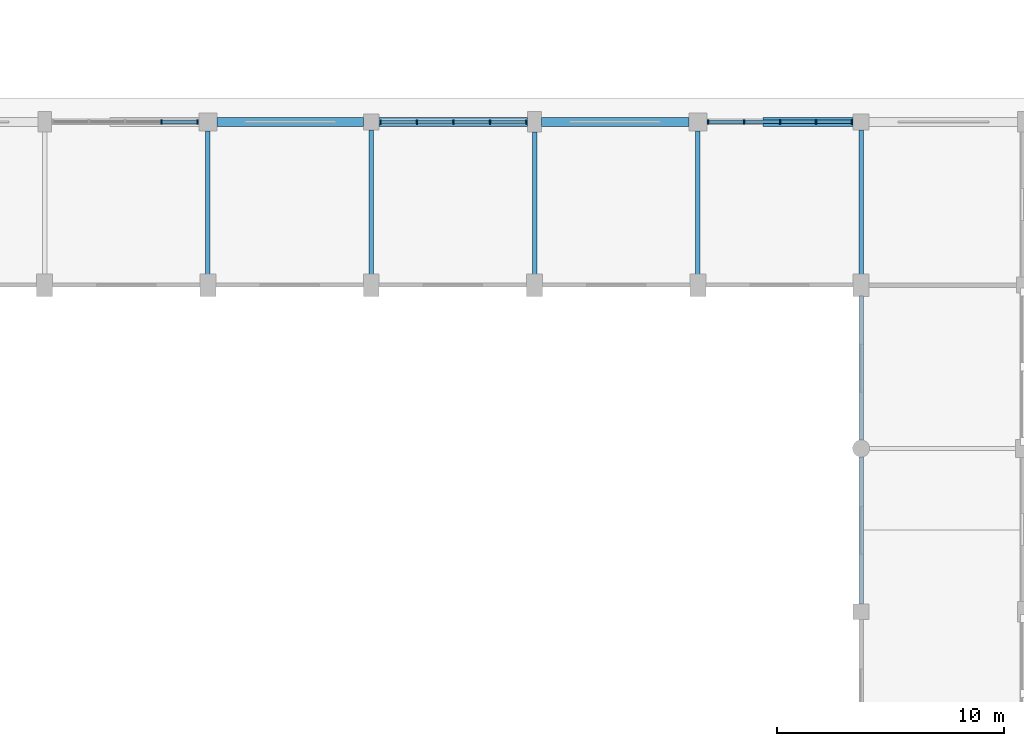
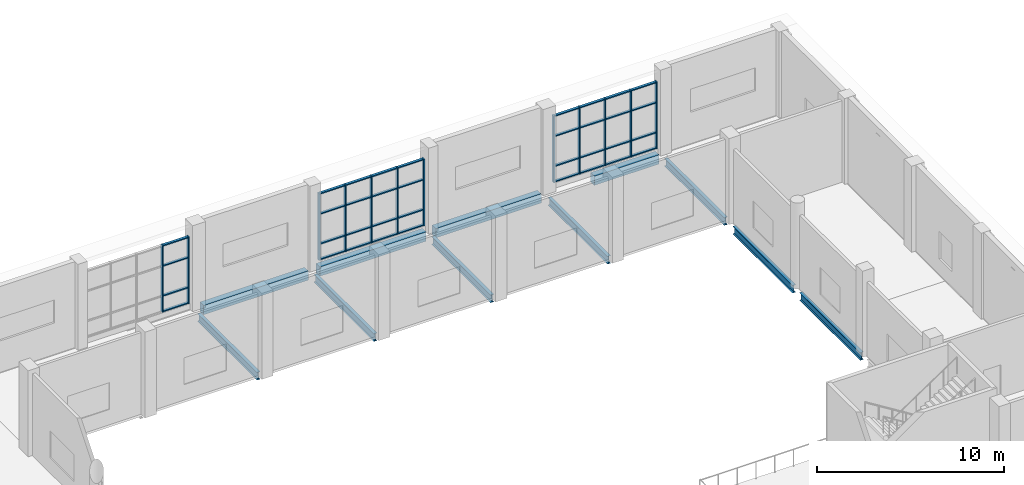
# One storey, part 33 of 80: 48 members, 11 beams, 3 elements without a shape of their own.
"""IFC4 building model written with IfcOpenShell, lengths in metres."""

from ifc_helpers import new_model, si_unit, direction, frame, origin, origin_2d, place, context, subcontext, project, spatial, rectangle, i_section, extrude, material, material_profile, profile_set, type_object, element, aggregate, save


model = new_model("IFC4")

# Units and contexts
model_context = context("Model", 3, precision=1e-05, world=origin(), true_north=direction((0.0, 1.0)))
body_context = subcontext(model_context, "Body", "Model", "MODEL_VIEW")
ifc_project = project(units=[si_unit("LENGTHUNIT", "METRE"), si_unit("AREAUNIT", "SQUARE_METRE"), si_unit("VOLUMEUNIT", "CUBIC_METRE"), si_unit("PLANEANGLEUNIT", "RADIAN"), si_unit("MASSUNIT", "GRAM", prefix="KILO")], contexts=[model_context])

# Site, building, storey
site_placement = place(None, origin())
site = spatial("IfcSite", under=ifc_project, at=site_placement, CompositionType="ELEMENT")
building_placement = place(site_placement, origin())
building = spatial("IfcBuilding", under=site, at=building_placement, Name="Sardonyx Promenade Sports Hall", CompositionType="ELEMENT")
storey_placement = place(building_placement, frame((0.0, 0.0, 5.60009765625)))
storey = spatial("IfcBuildingStorey", under=building, at=storey_placement, Name="L01", CompositionType="ELEMENT", Elevation=5.60009765625)

# Beams
ifc_material_1 = material(Name="Steel S355JR", Category="steel")
ifc_material_profile_1 = material_profile(ifc_material_1, i_section(OverallWidth=0.199951171875, OverallDepth=0.5, WebThickness=0.01025390625, FlangeThickness=0.01611328125, at=origin_2d()))
ifc_profile_set_1 = profile_set([ifc_material_profile_1], Name="Steel S355JR")
beam_type_1 = type_object("IfcBeamType", Name="Bm_Primary_IPE500", PredefinedType="BEAM", material=ifc_profile_set_1)
beam_1_placement = place(storey_placement, frame((129.60009765625, 79.64990234375, -0.47021484375), z_axis=(0.0, 1.0, 0.0), x_axis=(-1.0, 0.0, 0.0)))
element("IfcBeam", 1, at=beam_1_placement, inside=storey, type_object=beam_type_1, Name="Beam SB06 L01 #412", PredefinedType="BEAM", context=body_context, shape_type="SweptSolid", body=[
    extrude(i_section(OverallWidth=0.199951171875, OverallDepth=0.5, WebThickness=0.01025390625, FlangeThickness=0.01611328125, at=origin_2d()), origin(), (0.0, 0.0, 1.0), 6.35009765625),
])
beam_2_placement = place(storey_placement, frame((136.800048828125, 79.64990234375, -0.47021484375), z_axis=(0.0, 1.0, 0.0), x_axis=(-1.0, 0.0, 0.0)))
element("IfcBeam", 2, at=beam_2_placement, inside=storey, type_object=beam_type_1, Name="Beam SB06 L01 #413", PredefinedType="BEAM", context=body_context, shape_type="SweptSolid", body=[
    extrude(i_section(OverallWidth=0.199951171875, OverallDepth=0.5, WebThickness=0.01025390625, FlangeThickness=0.01611328125, at=origin_2d()), origin(), (0.0, 0.0, 1.0), 6.400146484375),
])
beam_3_placement = place(storey_placement, frame((144.0, 79.64990234375, -0.47021484375), z_axis=(0.0, 1.0, 0.0), x_axis=(-1.0, 0.0, 0.0)))
element("IfcBeam", 3, at=beam_3_placement, inside=storey, type_object=beam_type_1, Name="Beam SB06 L01 #421", PredefinedType="BEAM", context=body_context, shape_type="SweptSolid", body=[
    extrude(i_section(OverallWidth=0.199951171875, OverallDepth=0.5, WebThickness=0.01025390625, FlangeThickness=0.01611328125, at=origin_2d()), origin(), (0.0, 0.0, 1.0), 6.300048828125),
])
beam_4_placement = place(storey_placement, frame((151.199951171875, 79.64990234375, -0.47021484375), z_axis=(0.0, 1.0, 0.0), x_axis=(-1.0, 0.0, 0.0)))
element("IfcBeam", 4, at=beam_4_placement, inside=storey, type_object=beam_type_1, Name="Beam SB06 L01 #422", PredefinedType="BEAM", context=body_context, shape_type="SweptSolid", body=[
    extrude(i_section(OverallWidth=0.199951171875, OverallDepth=0.5, WebThickness=0.01025390625, FlangeThickness=0.01611328125, at=origin_2d()), origin(), (0.0, 0.0, 1.0), 6.35009765625),
])
beam_5_placement = place(storey_placement, frame((158.39990234375, 65.14990234375, -0.47021484375), z_axis=(0.0, 1.0, 0.0), x_axis=(-1.0, 0.0, 0.0)))
element("IfcBeam", 5, at=beam_5_placement, inside=storey, type_object=beam_type_1, Name="Beam SB06 L01 #432", PredefinedType="BEAM", context=body_context, shape_type="SweptSolid", body=[
    extrude(i_section(OverallWidth=0.199951171875, OverallDepth=0.5, WebThickness=0.01025390625, FlangeThickness=0.01611328125, at=origin_2d()), origin(), (0.0, 0.0, 1.0), 6.47509765625),
])
beam_6_placement = place(storey_placement, frame((158.39990234375, 72.375, -0.47021484375), z_axis=(0.0, 1.0, 0.0), x_axis=(-1.0, 0.0, 0.0)))
element("IfcBeam", 6, at=beam_6_placement, inside=storey, type_object=beam_type_1, Name="Beam SB06 L01 #433", PredefinedType="BEAM", context=body_context, shape_type="SweptSolid", body=[
    extrude(i_section(OverallWidth=0.199951171875, OverallDepth=0.5, WebThickness=0.01025390625, FlangeThickness=0.01611328125, at=origin_2d()), origin(), (0.0, 0.0, 1.0), 6.375),
])
beam_7_placement = place(storey_placement, frame((158.39990234375, 79.64990234375, -0.47021484375), z_axis=(0.0, 1.0, 0.0), x_axis=(-1.0, 0.0, 0.0)))
element("IfcBeam", 7, at=beam_7_placement, inside=storey, type_object=beam_type_1, Name="Beam SB06 L01 #434", PredefinedType="BEAM", context=body_context, shape_type="SweptSolid", body=[
    extrude(i_section(OverallWidth=0.199951171875, OverallDepth=0.5, WebThickness=0.01025390625, FlangeThickness=0.01611328125, at=origin_2d()), origin(), (0.0, 0.0, 1.0), 6.400146484375),
])
ifc_material_2 = material(Name="Concrete C40/50", Category="concrete")
ifc_material_profile_2 = material_profile(ifc_material_2, rectangle(XDim=0.39990234375, YDim=0.60009765625, at=origin_2d()))
ifc_profile_set_2 = profile_set([ifc_material_profile_2], Name="Concrete C40/50")
beam_type_2 = type_object("IfcBeamType", Name="Bm_Spandrel_RC600", PredefinedType="SPANDREL", material=ifc_profile_set_2)
beam_8_placement = place(storey_placement, frame((130.0, 86.39990234375, -0.300048828125), z_axis=(1.0, 0.0, 0.0), x_axis=(0.0, 1.0, 0.0)))
element("IfcBeam", 8, at=beam_8_placement, inside=storey, type_object=beam_type_2, Name="Beam SPB1 L01 #283", PredefinedType="SPANDREL", context=body_context, shape_type="SweptSolid", body=[
    extrude(rectangle(XDim=0.39990234375, YDim=0.60009765625, at=origin_2d()), origin(), (0.0, 0.0, 1.0), 6.449951171875),
])
beam_9_placement = place(storey_placement, frame((137.14990234375, 86.39990234375, -0.300048828125), z_axis=(1.0, 0.0, 0.0), x_axis=(0.0, 1.0, 0.0)))
element("IfcBeam", 9, at=beam_9_placement, inside=storey, type_object=beam_type_2, Name="Beam SPB1 L01 #284", PredefinedType="SPANDREL", context=body_context, shape_type="SweptSolid", body=[
    extrude(rectangle(XDim=0.39990234375, YDim=0.60009765625, at=origin_2d()), origin(), (0.0, 0.0, 1.0), 6.550048828125),
])
beam_10_placement = place(storey_placement, frame((144.300048828125, 86.39990234375, -0.300048828125), z_axis=(1.0, 0.0, 0.0), x_axis=(0.0, 1.0, 0.0)))
element("IfcBeam", 10, at=beam_10_placement, inside=storey, type_object=beam_type_2, Name="Beam SPB1 L01 #285", PredefinedType="SPANDREL", context=body_context, shape_type="SweptSolid", body=[
    extrude(rectangle(XDim=0.39990234375, YDim=0.60009765625, at=origin_2d()), origin(), (0.0, 0.0, 1.0), 6.5),
])
beam_11_placement = place(storey_placement, frame((154.074951171875, 86.39990234375, -0.300048828125), z_axis=(1.0, 0.0, 0.0), x_axis=(0.0, 1.0, 0.0)))
element("IfcBeam", 11, at=beam_11_placement, inside=storey, type_object=beam_type_2, Name="Beam SPB1 L01 #286", PredefinedType="SPANDREL", context=body_context, shape_type="SweptSolid", body=[
    extrude(rectangle(XDim=0.39990234375, YDim=0.60009765625, at=origin_2d()), origin(), (0.0, 0.0, 1.0), 3.97509765625),
])

# Curtain wall, members
ifc_material_3 = material(Name="Aluminium 6063-T6", Category="aluminium")
curtain_wall_type = type_object("IfcCurtainWallType", Name="CW_Prac_North_L01", PredefinedType="USERDEFINED", material=ifc_material_3)
curtain_wall_1_placement = place(storey_placement, origin())
curtain_wall_1 = element("IfcCurtainWall", 12, at=curtain_wall_1_placement, inside=storey, type_object=curtain_wall_type, Name="Curtain wall CW04 cw:L01:104", ObjectType="CURTAIN WALL", PredefinedType="USERDEFINED")
ifc_material_4 = material(Name="Aluminium 6063-T6", Category="aluminium")
ifc_material_profile_3 = material_profile(ifc_material_4, rectangle(XDim=0.070068359375, YDim=0.199951171875, at=origin_2d()))
ifc_profile_set_3 = profile_set([ifc_material_profile_3], Name="Aluminium 6063-T6")
member_type_1 = type_object("IfcMemberType", Name="CW_Mull_200", PredefinedType="MULLION", material=ifc_profile_set_3)
member_1_placement = place(storey_placement, frame((127.547607421875, 86.39990234375, 0.349853515625), z_axis=(0.0, 0.0, 1.0), x_axis=(1.0, 0.0, 0.0)))
member_1 = element("IfcMember", 13, at=member_1_placement, type_object=member_type_1, Name="Mullion CM03 cw:L01:104 #4", PredefinedType="MULLION", context=body_context, shape_type="SweptSolid", body=[
    extrude(rectangle(XDim=0.070068359375, YDim=0.199951171875, at=origin_2d()), origin(), (0.0, 0.0, 1.0), 4.35009765625),
])
member_2_placement = place(storey_placement, frame((129.14501953125, 86.39990234375, 0.349853515625), z_axis=(0.0, 0.0, 1.0), x_axis=(1.0, 0.0, 0.0)))
member_2 = element("IfcMember", 14, at=member_2_placement, type_object=member_type_1, Name="Mullion CM03 cw:L01:104 #5", PredefinedType="MULLION", context=body_context, shape_type="SweptSolid", body=[
    extrude(rectangle(XDim=0.070068359375, YDim=0.199951171875, at=origin_2d()), origin(), (0.0, 0.0, 1.0), 4.35009765625),
])

curtain_wall_2_placement = place(storey_placement, origin())
curtain_wall_2 = element("IfcCurtainWall", 15, at=curtain_wall_2_placement, inside=storey, type_object=curtain_wall_type, Name="Curtain wall CW04 cw:L01:105", ObjectType="CURTAIN WALL", PredefinedType="USERDEFINED")
member_3_placement = place(storey_placement, frame((137.205078125, 86.39990234375, 0.349853515625), z_axis=(0.0, 0.0, 1.0), x_axis=(1.0, 0.0, 0.0)))
member_3 = element("IfcMember", 16, at=member_3_placement, type_object=member_type_1, Name="Mullion CM03 cw:L01:105 #1", PredefinedType="MULLION", context=body_context, shape_type="SweptSolid", body=[
    extrude(rectangle(XDim=0.070068359375, YDim=0.199951171875, at=origin_2d()), origin(), (0.0, 0.0, 1.0), 4.35009765625),
])
member_4_placement = place(storey_placement, frame((138.81494140625, 86.39990234375, 0.349853515625), z_axis=(0.0, 0.0, 1.0), x_axis=(1.0, 0.0, 0.0)))
member_4 = element("IfcMember", 17, at=member_4_placement, type_object=member_type_1, Name="Mullion CM03 cw:L01:105 #2", PredefinedType="MULLION", context=body_context, shape_type="SweptSolid", body=[
    extrude(rectangle(XDim=0.070068359375, YDim=0.199951171875, at=origin_2d()), origin(), (0.0, 0.0, 1.0), 4.35009765625),
])
member_5_placement = place(storey_placement, frame((140.425048828125, 86.39990234375, 0.349853515625), z_axis=(0.0, 0.0, 1.0), x_axis=(1.0, 0.0, 0.0)))
member_5 = element("IfcMember", 18, at=member_5_placement, type_object=member_type_1, Name="Mullion CM03 cw:L01:105 #3", PredefinedType="MULLION", context=body_context, shape_type="SweptSolid", body=[
    extrude(rectangle(XDim=0.070068359375, YDim=0.199951171875, at=origin_2d()), origin(), (0.0, 0.0, 1.0), 4.35009765625),
])
member_6_placement = place(storey_placement, frame((142.034912109375, 86.39990234375, 0.349853515625), z_axis=(0.0, 0.0, 1.0), x_axis=(1.0, 0.0, 0.0)))
member_6 = element("IfcMember", 19, at=member_6_placement, type_object=member_type_1, Name="Mullion CM03 cw:L01:105 #4", PredefinedType="MULLION", context=body_context, shape_type="SweptSolid", body=[
    extrude(rectangle(XDim=0.070068359375, YDim=0.199951171875, at=origin_2d()), origin(), (0.0, 0.0, 1.0), 4.35009765625),
])
member_7_placement = place(storey_placement, frame((143.64501953125, 86.39990234375, 0.349853515625), z_axis=(0.0, 0.0, 1.0), x_axis=(1.0, 0.0, 0.0)))
member_7 = element("IfcMember", 20, at=member_7_placement, type_object=member_type_1, Name="Mullion CM03 cw:L01:105 #5", PredefinedType="MULLION", context=body_context, shape_type="SweptSolid", body=[
    extrude(rectangle(XDim=0.070068359375, YDim=0.199951171875, at=origin_2d()), origin(), (0.0, 0.0, 1.0), 4.35009765625),
])

curtain_wall_3_placement = place(storey_placement, origin())
curtain_wall_3 = element("IfcCurtainWall", 21, at=curtain_wall_3_placement, inside=storey, type_object=curtain_wall_type, Name="Curtain wall CW04 cw:L01:106", ObjectType="CURTAIN WALL", PredefinedType="USERDEFINED")
member_8_placement = place(storey_placement, frame((151.655029296875, 86.39990234375, 0.349853515625), z_axis=(0.0, 0.0, 1.0), x_axis=(1.0, 0.0, 0.0)))
member_8 = element("IfcMember", 22, at=member_8_placement, type_object=member_type_1, Name="Mullion CM03 cw:L01:106 #1", PredefinedType="MULLION", context=body_context, shape_type="SweptSolid", body=[
    extrude(rectangle(XDim=0.070068359375, YDim=0.199951171875, at=origin_2d()), origin(), (0.0, 0.0, 1.0), 4.35009765625),
])
member_9_placement = place(storey_placement, frame((153.239990234375, 86.39990234375, 0.349853515625), z_axis=(0.0, 0.0, 1.0), x_axis=(1.0, 0.0, 0.0)))
member_9 = element("IfcMember", 23, at=member_9_placement, type_object=member_type_1, Name="Mullion CM03 cw:L01:106 #2", PredefinedType="MULLION", context=body_context, shape_type="SweptSolid", body=[
    extrude(rectangle(XDim=0.070068359375, YDim=0.199951171875, at=origin_2d()), origin(), (0.0, 0.0, 1.0), 4.35009765625),
])
member_10_placement = place(storey_placement, frame((154.824951171875, 86.39990234375, 0.349853515625), z_axis=(0.0, 0.0, 1.0), x_axis=(1.0, 0.0, 0.0)))
member_10 = element("IfcMember", 24, at=member_10_placement, type_object=member_type_1, Name="Mullion CM03 cw:L01:106 #3", PredefinedType="MULLION", context=body_context, shape_type="SweptSolid", body=[
    extrude(rectangle(XDim=0.070068359375, YDim=0.199951171875, at=origin_2d()), origin(), (0.0, 0.0, 1.0), 4.35009765625),
])
member_11_placement = place(storey_placement, frame((156.409912109375, 86.39990234375, 0.349853515625), z_axis=(0.0, 0.0, 1.0), x_axis=(1.0, 0.0, 0.0)))
member_11 = element("IfcMember", 25, at=member_11_placement, type_object=member_type_1, Name="Mullion CM03 cw:L01:106 #4", PredefinedType="MULLION", context=body_context, shape_type="SweptSolid", body=[
    extrude(rectangle(XDim=0.070068359375, YDim=0.199951171875, at=origin_2d()), origin(), (0.0, 0.0, 1.0), 4.35009765625),
])
member_12_placement = place(storey_placement, frame((157.9951171875, 86.39990234375, 0.349853515625), z_axis=(0.0, 0.0, 1.0), x_axis=(1.0, 0.0, 0.0)))
member_12 = element("IfcMember", 26, at=member_12_placement, type_object=member_type_1, Name="Mullion CM03 cw:L01:106 #5", PredefinedType="MULLION", context=body_context, shape_type="SweptSolid", body=[
    extrude(rectangle(XDim=0.070068359375, YDim=0.199951171875, at=origin_2d()), origin(), (0.0, 0.0, 1.0), 4.35009765625),
])

# Member
ifc_material_5 = material(Name="Aluminium 6063-T6", Category="aluminium")
ifc_material_profile_4 = material_profile(ifc_material_5, rectangle(XDim=0.070068359375, YDim=0.159912109375, at=origin_2d()))
ifc_profile_set_4 = profile_set([ifc_material_profile_4], Name="Aluminium 6063-T6")
member_type_2 = type_object("IfcMemberType", Name="CW_Tran_160", PredefinedType="USERDEFINED", material=ifc_profile_set_4)
member_13_placement = place(storey_placement, frame((127.58251953125, 86.39990234375, 0.385009765625), z_axis=(1.0, 0.0, 0.0), x_axis=(0.0, 0.0, 1.0)))
member_13 = element("IfcMember", 27, at=member_13_placement, type_object=member_type_2, Name="Transom CT03 cw:L01:104 #13", ObjectType="TRANSOM", PredefinedType="USERDEFINED", context=body_context, shape_type="SweptSolid", body=[
    extrude(rectangle(XDim=0.070068359375, YDim=0.159912109375, at=origin_2d()), origin(), (0.0, 0.0, 1.0), 1.527587890625),
])

member_14_placement = place(storey_placement, frame((127.58251953125, 86.39990234375, 1.39990234375), z_axis=(1.0, 0.0, 0.0), x_axis=(0.0, 0.0, 1.0)))
member_14 = element("IfcMember", 28, at=member_14_placement, type_object=member_type_2, Name="Transom CT03 cw:L01:104 #14", ObjectType="TRANSOM", PredefinedType="USERDEFINED", context=body_context, shape_type="SweptSolid", body=[
    extrude(rectangle(XDim=0.070068359375, YDim=0.159912109375, at=origin_2d()), origin(), (0.0, 0.0, 1.0), 1.527587890625),
])

member_15_placement = place(storey_placement, frame((127.58251953125, 86.39990234375, 3.349853515625), z_axis=(1.0, 0.0, 0.0), x_axis=(0.0, 0.0, 1.0)))
member_15 = element("IfcMember", 29, at=member_15_placement, type_object=member_type_2, Name="Transom CT03 cw:L01:104 #15", ObjectType="TRANSOM", PredefinedType="USERDEFINED", context=body_context, shape_type="SweptSolid", body=[
    extrude(rectangle(XDim=0.070068359375, YDim=0.159912109375, at=origin_2d()), origin(), (0.0, 0.0, 1.0), 1.527587890625),
])

member_16_placement = place(storey_placement, frame((127.58251953125, 86.39990234375, 4.664794921875), z_axis=(1.0, 0.0, 0.0), x_axis=(0.0, 0.0, 1.0)))
member_16 = element("IfcMember", 30, at=member_16_placement, type_object=member_type_2, Name="Transom CT03 cw:L01:104 #16", ObjectType="TRANSOM", PredefinedType="USERDEFINED", context=body_context, shape_type="SweptSolid", body=[
    extrude(rectangle(XDim=0.070068359375, YDim=0.159912109375, at=origin_2d()), origin(), (0.0, 0.0, 1.0), 1.527587890625),
])

aggregate(curtain_wall_1, [member_1, member_2, member_13, member_14, member_15, member_16])

member_17_placement = place(storey_placement, frame((137.239990234375, 86.39990234375, 0.385009765625), z_axis=(1.0, 0.0, 0.0), x_axis=(0.0, 0.0, 1.0)))
member_17 = element("IfcMember", 31, at=member_17_placement, type_object=member_type_2, Name="Transom CT03 cw:L01:105 #1", ObjectType="TRANSOM", PredefinedType="USERDEFINED", context=body_context, shape_type="SweptSolid", body=[
    extrude(rectangle(XDim=0.070068359375, YDim=0.159912109375, at=origin_2d()), origin(), (0.0, 0.0, 1.0), 1.5400390625),
])

member_18_placement = place(storey_placement, frame((137.239990234375, 86.39990234375, 1.39990234375), z_axis=(1.0, 0.0, 0.0), x_axis=(0.0, 0.0, 1.0)))
member_18 = element("IfcMember", 32, at=member_18_placement, type_object=member_type_2, Name="Transom CT03 cw:L01:105 #2", ObjectType="TRANSOM", PredefinedType="USERDEFINED", context=body_context, shape_type="SweptSolid", body=[
    extrude(rectangle(XDim=0.070068359375, YDim=0.159912109375, at=origin_2d()), origin(), (0.0, 0.0, 1.0), 1.5400390625),
])

member_19_placement = place(storey_placement, frame((137.239990234375, 86.39990234375, 3.349853515625), z_axis=(1.0, 0.0, 0.0), x_axis=(0.0, 0.0, 1.0)))
member_19 = element("IfcMember", 33, at=member_19_placement, type_object=member_type_2, Name="Transom CT03 cw:L01:105 #3", ObjectType="TRANSOM", PredefinedType="USERDEFINED", context=body_context, shape_type="SweptSolid", body=[
    extrude(rectangle(XDim=0.070068359375, YDim=0.159912109375, at=origin_2d()), origin(), (0.0, 0.0, 1.0), 1.5400390625),
])

member_20_placement = place(storey_placement, frame((137.239990234375, 86.39990234375, 4.664794921875), z_axis=(1.0, 0.0, 0.0), x_axis=(0.0, 0.0, 1.0)))
member_20 = element("IfcMember", 34, at=member_20_placement, type_object=member_type_2, Name="Transom CT03 cw:L01:105 #4", ObjectType="TRANSOM", PredefinedType="USERDEFINED", context=body_context, shape_type="SweptSolid", body=[
    extrude(rectangle(XDim=0.070068359375, YDim=0.159912109375, at=origin_2d()), origin(), (0.0, 0.0, 1.0), 1.5400390625),
])

member_21_placement = place(storey_placement, frame((138.85009765625, 86.39990234375, 0.385009765625), z_axis=(1.0, 0.0, 0.0), x_axis=(0.0, 0.0, 1.0)))
member_21 = element("IfcMember", 35, at=member_21_placement, type_object=member_type_2, Name="Transom CT03 cw:L01:105 #5", ObjectType="TRANSOM", PredefinedType="USERDEFINED", context=body_context, shape_type="SweptSolid", body=[
    extrude(rectangle(XDim=0.070068359375, YDim=0.159912109375, at=origin_2d()), origin(), (0.0, 0.0, 1.0), 1.539794921875),
])

member_22_placement = place(storey_placement, frame((138.85009765625, 86.39990234375, 1.39990234375), z_axis=(1.0, 0.0, 0.0), x_axis=(0.0, 0.0, 1.0)))
member_22 = element("IfcMember", 36, at=member_22_placement, type_object=member_type_2, Name="Transom CT03 cw:L01:105 #6", ObjectType="TRANSOM", PredefinedType="USERDEFINED", context=body_context, shape_type="SweptSolid", body=[
    extrude(rectangle(XDim=0.070068359375, YDim=0.159912109375, at=origin_2d()), origin(), (0.0, 0.0, 1.0), 1.539794921875),
])

member_23_placement = place(storey_placement, frame((138.85009765625, 86.39990234375, 3.349853515625), z_axis=(1.0, 0.0, 0.0), x_axis=(0.0, 0.0, 1.0)))
member_23 = element("IfcMember", 37, at=member_23_placement, type_object=member_type_2, Name="Transom CT03 cw:L01:105 #7", ObjectType="TRANSOM", PredefinedType="USERDEFINED", context=body_context, shape_type="SweptSolid", body=[
    extrude(rectangle(XDim=0.070068359375, YDim=0.159912109375, at=origin_2d()), origin(), (0.0, 0.0, 1.0), 1.539794921875),
])

member_24_placement = place(storey_placement, frame((138.85009765625, 86.39990234375, 4.664794921875), z_axis=(1.0, 0.0, 0.0), x_axis=(0.0, 0.0, 1.0)))
member_24 = element("IfcMember", 38, at=member_24_placement, type_object=member_type_2, Name="Transom CT03 cw:L01:105 #8", ObjectType="TRANSOM", PredefinedType="USERDEFINED", context=body_context, shape_type="SweptSolid", body=[
    extrude(rectangle(XDim=0.070068359375, YDim=0.159912109375, at=origin_2d()), origin(), (0.0, 0.0, 1.0), 1.539794921875),
])

member_25_placement = place(storey_placement, frame((140.4599609375, 86.39990234375, 0.385009765625), z_axis=(1.0, 0.0, 0.0), x_axis=(0.0, 0.0, 1.0)))
member_25 = element("IfcMember", 39, at=member_25_placement, type_object=member_type_2, Name="Transom CT03 cw:L01:105 #9", ObjectType="TRANSOM", PredefinedType="USERDEFINED", context=body_context, shape_type="SweptSolid", body=[
    extrude(rectangle(XDim=0.070068359375, YDim=0.159912109375, at=origin_2d()), origin(), (0.0, 0.0, 1.0), 1.5400390625),
])

member_26_placement = place(storey_placement, frame((140.4599609375, 86.39990234375, 1.39990234375), z_axis=(1.0, 0.0, 0.0), x_axis=(0.0, 0.0, 1.0)))
member_26 = element("IfcMember", 40, at=member_26_placement, type_object=member_type_2, Name="Transom CT03 cw:L01:105 #10", ObjectType="TRANSOM", PredefinedType="USERDEFINED", context=body_context, shape_type="SweptSolid", body=[
    extrude(rectangle(XDim=0.070068359375, YDim=0.159912109375, at=origin_2d()), origin(), (0.0, 0.0, 1.0), 1.5400390625),
])

member_27_placement = place(storey_placement, frame((140.4599609375, 86.39990234375, 3.349853515625), z_axis=(1.0, 0.0, 0.0), x_axis=(0.0, 0.0, 1.0)))
member_27 = element("IfcMember", 41, at=member_27_placement, type_object=member_type_2, Name="Transom CT03 cw:L01:105 #11", ObjectType="TRANSOM", PredefinedType="USERDEFINED", context=body_context, shape_type="SweptSolid", body=[
    extrude(rectangle(XDim=0.070068359375, YDim=0.159912109375, at=origin_2d()), origin(), (0.0, 0.0, 1.0), 1.5400390625),
])

member_28_placement = place(storey_placement, frame((140.4599609375, 86.39990234375, 4.664794921875), z_axis=(1.0, 0.0, 0.0), x_axis=(0.0, 0.0, 1.0)))
member_28 = element("IfcMember", 42, at=member_28_placement, type_object=member_type_2, Name="Transom CT03 cw:L01:105 #12", ObjectType="TRANSOM", PredefinedType="USERDEFINED", context=body_context, shape_type="SweptSolid", body=[
    extrude(rectangle(XDim=0.070068359375, YDim=0.159912109375, at=origin_2d()), origin(), (0.0, 0.0, 1.0), 1.5400390625),
])

member_29_placement = place(storey_placement, frame((142.070068359375, 86.39990234375, 0.385009765625), z_axis=(1.0, 0.0, 0.0), x_axis=(0.0, 0.0, 1.0)))
member_29 = element("IfcMember", 43, at=member_29_placement, type_object=member_type_2, Name="Transom CT03 cw:L01:105 #13", ObjectType="TRANSOM", PredefinedType="USERDEFINED", context=body_context, shape_type="SweptSolid", body=[
    extrude(rectangle(XDim=0.070068359375, YDim=0.159912109375, at=origin_2d()), origin(), (0.0, 0.0, 1.0), 1.5400390625),
])

member_30_placement = place(storey_placement, frame((142.070068359375, 86.39990234375, 1.39990234375), z_axis=(1.0, 0.0, 0.0), x_axis=(0.0, 0.0, 1.0)))
member_30 = element("IfcMember", 44, at=member_30_placement, type_object=member_type_2, Name="Transom CT03 cw:L01:105 #14", ObjectType="TRANSOM", PredefinedType="USERDEFINED", context=body_context, shape_type="SweptSolid", body=[
    extrude(rectangle(XDim=0.070068359375, YDim=0.159912109375, at=origin_2d()), origin(), (0.0, 0.0, 1.0), 1.5400390625),
])

member_31_placement = place(storey_placement, frame((142.070068359375, 86.39990234375, 3.349853515625), z_axis=(1.0, 0.0, 0.0), x_axis=(0.0, 0.0, 1.0)))
member_31 = element("IfcMember", 45, at=member_31_placement, type_object=member_type_2, Name="Transom CT03 cw:L01:105 #15", ObjectType="TRANSOM", PredefinedType="USERDEFINED", context=body_context, shape_type="SweptSolid", body=[
    extrude(rectangle(XDim=0.070068359375, YDim=0.159912109375, at=origin_2d()), origin(), (0.0, 0.0, 1.0), 1.5400390625),
])

member_32_placement = place(storey_placement, frame((142.070068359375, 86.39990234375, 4.664794921875), z_axis=(1.0, 0.0, 0.0), x_axis=(0.0, 0.0, 1.0)))
member_32 = element("IfcMember", 46, at=member_32_placement, type_object=member_type_2, Name="Transom CT03 cw:L01:105 #16", ObjectType="TRANSOM", PredefinedType="USERDEFINED", context=body_context, shape_type="SweptSolid", body=[
    extrude(rectangle(XDim=0.070068359375, YDim=0.159912109375, at=origin_2d()), origin(), (0.0, 0.0, 1.0), 1.5400390625),
])

aggregate(curtain_wall_2, [member_3, member_4, member_5, member_6, member_7, member_17, member_18, member_19, member_20, member_21, member_22, member_23, member_24, member_25, member_26, member_27, member_28, member_29, member_30, member_31, member_32])

member_33_placement = place(storey_placement, frame((151.68994140625, 86.39990234375, 0.385009765625), z_axis=(1.0, 0.0, 0.0), x_axis=(0.0, 0.0, 1.0)))
member_33 = element("IfcMember", 47, at=member_33_placement, type_object=member_type_2, Name="Transom CT03 cw:L01:106 #1", ObjectType="TRANSOM", PredefinedType="USERDEFINED", context=body_context, shape_type="SweptSolid", body=[
    extrude(rectangle(XDim=0.070068359375, YDim=0.159912109375, at=origin_2d()), origin(), (0.0, 0.0, 1.0), 1.51513671875),
])

member_34_placement = place(storey_placement, frame((151.68994140625, 86.39990234375, 1.39990234375), z_axis=(1.0, 0.0, 0.0), x_axis=(0.0, 0.0, 1.0)))
member_34 = element("IfcMember", 48, at=member_34_placement, type_object=member_type_2, Name="Transom CT03 cw:L01:106 #2", ObjectType="TRANSOM", PredefinedType="USERDEFINED", context=body_context, shape_type="SweptSolid", body=[
    extrude(rectangle(XDim=0.070068359375, YDim=0.159912109375, at=origin_2d()), origin(), (0.0, 0.0, 1.0), 1.51513671875),
])

member_35_placement = place(storey_placement, frame((151.68994140625, 86.39990234375, 3.349853515625), z_axis=(1.0, 0.0, 0.0), x_axis=(0.0, 0.0, 1.0)))
member_35 = element("IfcMember", 49, at=member_35_placement, type_object=member_type_2, Name="Transom CT03 cw:L01:106 #3", ObjectType="TRANSOM", PredefinedType="USERDEFINED", context=body_context, shape_type="SweptSolid", body=[
    extrude(rectangle(XDim=0.070068359375, YDim=0.159912109375, at=origin_2d()), origin(), (0.0, 0.0, 1.0), 1.51513671875),
])

member_36_placement = place(storey_placement, frame((151.68994140625, 86.39990234375, 4.664794921875), z_axis=(1.0, 0.0, 0.0), x_axis=(0.0, 0.0, 1.0)))
member_36 = element("IfcMember", 50, at=member_36_placement, type_object=member_type_2, Name="Transom CT03 cw:L01:106 #4", ObjectType="TRANSOM", PredefinedType="USERDEFINED", context=body_context, shape_type="SweptSolid", body=[
    extrude(rectangle(XDim=0.070068359375, YDim=0.159912109375, at=origin_2d()), origin(), (0.0, 0.0, 1.0), 1.51513671875),
])

member_37_placement = place(storey_placement, frame((153.27490234375, 86.39990234375, 0.385009765625), z_axis=(1.0, 0.0, 0.0), x_axis=(0.0, 0.0, 1.0)))
member_37 = element("IfcMember", 51, at=member_37_placement, type_object=member_type_2, Name="Transom CT03 cw:L01:106 #5", ObjectType="TRANSOM", PredefinedType="USERDEFINED", context=body_context, shape_type="SweptSolid", body=[
    extrude(rectangle(XDim=0.070068359375, YDim=0.159912109375, at=origin_2d()), origin(), (0.0, 0.0, 1.0), 1.51513671875),
])

member_38_placement = place(storey_placement, frame((153.27490234375, 86.39990234375, 1.39990234375), z_axis=(1.0, 0.0, 0.0), x_axis=(0.0, 0.0, 1.0)))
member_38 = element("IfcMember", 52, at=member_38_placement, type_object=member_type_2, Name="Transom CT03 cw:L01:106 #6", ObjectType="TRANSOM", PredefinedType="USERDEFINED", context=body_context, shape_type="SweptSolid", body=[
    extrude(rectangle(XDim=0.070068359375, YDim=0.159912109375, at=origin_2d()), origin(), (0.0, 0.0, 1.0), 1.51513671875),
])

member_39_placement = place(storey_placement, frame((153.27490234375, 86.39990234375, 3.349853515625), z_axis=(1.0, 0.0, 0.0), x_axis=(0.0, 0.0, 1.0)))
member_39 = element("IfcMember", 53, at=member_39_placement, type_object=member_type_2, Name="Transom CT03 cw:L01:106 #7", ObjectType="TRANSOM", PredefinedType="USERDEFINED", context=body_context, shape_type="SweptSolid", body=[
    extrude(rectangle(XDim=0.070068359375, YDim=0.159912109375, at=origin_2d()), origin(), (0.0, 0.0, 1.0), 1.51513671875),
])

member_40_placement = place(storey_placement, frame((153.27490234375, 86.39990234375, 4.664794921875), z_axis=(1.0, 0.0, 0.0), x_axis=(0.0, 0.0, 1.0)))
member_40 = element("IfcMember", 54, at=member_40_placement, type_object=member_type_2, Name="Transom CT03 cw:L01:106 #8", ObjectType="TRANSOM", PredefinedType="USERDEFINED", context=body_context, shape_type="SweptSolid", body=[
    extrude(rectangle(XDim=0.070068359375, YDim=0.159912109375, at=origin_2d()), origin(), (0.0, 0.0, 1.0), 1.51513671875),
])

member_41_placement = place(storey_placement, frame((154.860107421875, 86.39990234375, 0.385009765625), z_axis=(1.0, 0.0, 0.0), x_axis=(0.0, 0.0, 1.0)))
member_41 = element("IfcMember", 55, at=member_41_placement, type_object=member_type_2, Name="Transom CT03 cw:L01:106 #9", ObjectType="TRANSOM", PredefinedType="USERDEFINED", context=body_context, shape_type="SweptSolid", body=[
    extrude(rectangle(XDim=0.070068359375, YDim=0.159912109375, at=origin_2d()), origin(), (0.0, 0.0, 1.0), 1.514892578125),
])

member_42_placement = place(storey_placement, frame((154.860107421875, 86.39990234375, 1.39990234375), z_axis=(1.0, 0.0, 0.0), x_axis=(0.0, 0.0, 1.0)))
member_42 = element("IfcMember", 56, at=member_42_placement, type_object=member_type_2, Name="Transom CT03 cw:L01:106 #10", ObjectType="TRANSOM", PredefinedType="USERDEFINED", context=body_context, shape_type="SweptSolid", body=[
    extrude(rectangle(XDim=0.070068359375, YDim=0.159912109375, at=origin_2d()), origin(), (0.0, 0.0, 1.0), 1.514892578125),
])

member_43_placement = place(storey_placement, frame((154.860107421875, 86.39990234375, 3.349853515625), z_axis=(1.0, 0.0, 0.0), x_axis=(0.0, 0.0, 1.0)))
member_43 = element("IfcMember", 57, at=member_43_placement, type_object=member_type_2, Name="Transom CT03 cw:L01:106 #11", ObjectType="TRANSOM", PredefinedType="USERDEFINED", context=body_context, shape_type="SweptSolid", body=[
    extrude(rectangle(XDim=0.070068359375, YDim=0.159912109375, at=origin_2d()), origin(), (0.0, 0.0, 1.0), 1.514892578125),
])

member_44_placement = place(storey_placement, frame((154.860107421875, 86.39990234375, 4.664794921875), z_axis=(1.0, 0.0, 0.0), x_axis=(0.0, 0.0, 1.0)))
member_44 = element("IfcMember", 58, at=member_44_placement, type_object=member_type_2, Name="Transom CT03 cw:L01:106 #12", ObjectType="TRANSOM", PredefinedType="USERDEFINED", context=body_context, shape_type="SweptSolid", body=[
    extrude(rectangle(XDim=0.070068359375, YDim=0.159912109375, at=origin_2d()), origin(), (0.0, 0.0, 1.0), 1.514892578125),
])

member_45_placement = place(storey_placement, frame((156.445068359375, 86.39990234375, 0.385009765625), z_axis=(1.0, 0.0, 0.0), x_axis=(0.0, 0.0, 1.0)))
member_45 = element("IfcMember", 59, at=member_45_placement, type_object=member_type_2, Name="Transom CT03 cw:L01:106 #13", ObjectType="TRANSOM", PredefinedType="USERDEFINED", context=body_context, shape_type="SweptSolid", body=[
    extrude(rectangle(XDim=0.070068359375, YDim=0.159912109375, at=origin_2d()), origin(), (0.0, 0.0, 1.0), 1.514892578125),
])

member_46_placement = place(storey_placement, frame((156.445068359375, 86.39990234375, 1.39990234375), z_axis=(1.0, 0.0, 0.0), x_axis=(0.0, 0.0, 1.0)))
member_46 = element("IfcMember", 60, at=member_46_placement, type_object=member_type_2, Name="Transom CT03 cw:L01:106 #14", ObjectType="TRANSOM", PredefinedType="USERDEFINED", context=body_context, shape_type="SweptSolid", body=[
    extrude(rectangle(XDim=0.070068359375, YDim=0.159912109375, at=origin_2d()), origin(), (0.0, 0.0, 1.0), 1.514892578125),
])

member_47_placement = place(storey_placement, frame((156.445068359375, 86.39990234375, 3.349853515625), z_axis=(1.0, 0.0, 0.0), x_axis=(0.0, 0.0, 1.0)))
member_47 = element("IfcMember", 61, at=member_47_placement, type_object=member_type_2, Name="Transom CT03 cw:L01:106 #15", ObjectType="TRANSOM", PredefinedType="USERDEFINED", context=body_context, shape_type="SweptSolid", body=[
    extrude(rectangle(XDim=0.070068359375, YDim=0.159912109375, at=origin_2d()), origin(), (0.0, 0.0, 1.0), 1.514892578125),
])

member_48_placement = place(storey_placement, frame((156.445068359375, 86.39990234375, 4.664794921875), z_axis=(1.0, 0.0, 0.0), x_axis=(0.0, 0.0, 1.0)))
member_48 = element("IfcMember", 62, at=member_48_placement, type_object=member_type_2, Name="Transom CT03 cw:L01:106 #16", ObjectType="TRANSOM", PredefinedType="USERDEFINED", context=body_context, shape_type="SweptSolid", body=[
    extrude(rectangle(XDim=0.070068359375, YDim=0.159912109375, at=origin_2d()), origin(), (0.0, 0.0, 1.0), 1.514892578125),
])

aggregate(curtain_wall_3, [member_8, member_9, member_10, member_11, member_12, member_33, member_34, member_35, member_36, member_37, member_38, member_39, member_40, member_41, member_42, member_43, member_44, member_45, member_46, member_47, member_48])

save(model, "model.ifc")
